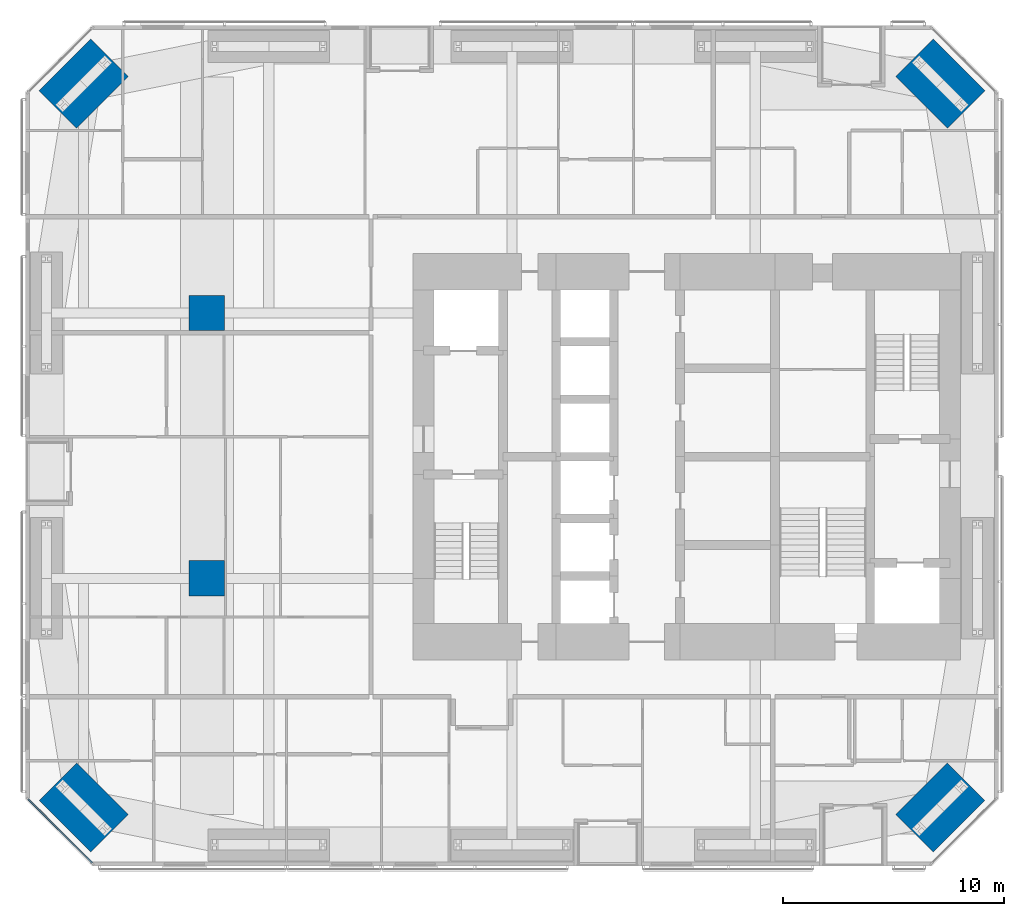
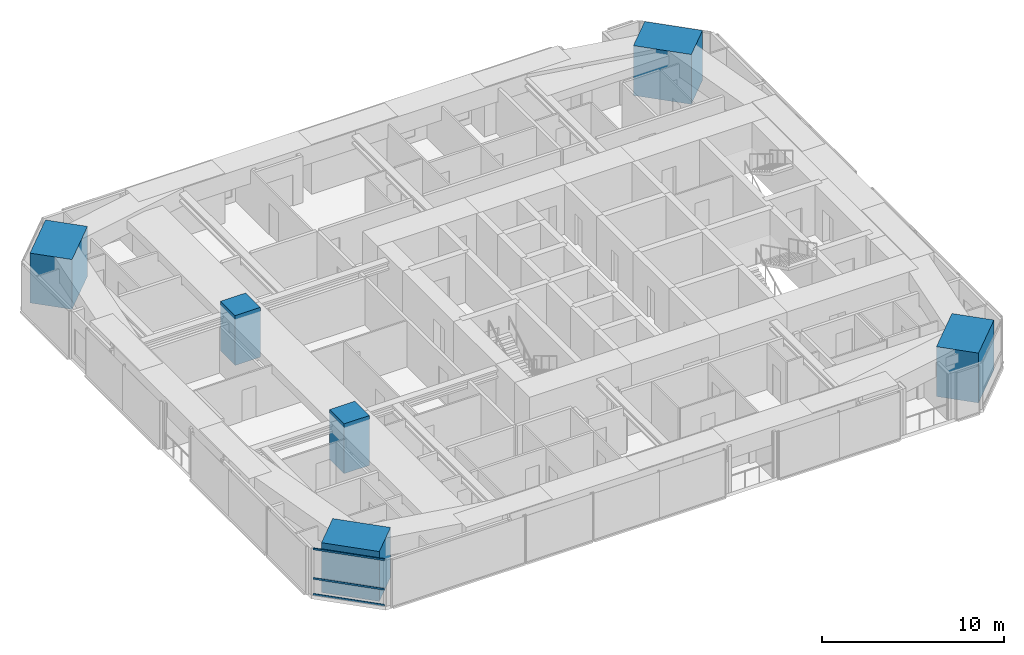
# One storey, part 1 of 24: 6 columns, 3 members, 1 element without a shape of its own.
"""IFC4 building model written with IfcOpenShell, lengths in metres."""

from ifc_helpers import new_model, si_unit, direction, frame, origin, origin_2d, place, context, subcontext, project, spatial, rectangle, extrude, material, material_profile, profile_set, type_object, element, aggregate, save


model = new_model("IFC4")

# Units and contexts
model_context = context("Model", 3, precision=1e-05, world=origin(), true_north=direction((0.0, 1.0)))
body_context = subcontext(model_context, "Body", "Model", "MODEL_VIEW")
ifc_project = project(units=[si_unit("LENGTHUNIT", "METRE"), si_unit("AREAUNIT", "SQUARE_METRE"), si_unit("VOLUMEUNIT", "CUBIC_METRE"), si_unit("PLANEANGLEUNIT", "RADIAN"), si_unit("MASSUNIT", "GRAM", prefix="KILO")], contexts=[model_context])

# Site, building, storey
site_placement = place(None, origin())
site = spatial("IfcSite", under=ifc_project, at=site_placement, CompositionType="ELEMENT")
building_placement = place(site_placement, origin())
building = spatial("IfcBuilding", under=site, at=building_placement, Name="Jalousie Tower", CompositionType="ELEMENT")
storey_placement = place(building_placement, frame((0.0, 0.0, 54.5)))
storey = spatial("IfcBuildingStorey", under=building, at=storey_placement, Name="L14", CompositionType="ELEMENT", Elevation=54.5)

# Columns
ifc_material_1 = material(Name="Concrete f'c 120 MPa", Category="concrete")
ifc_material_profile_1 = material_profile(ifc_material_1, rectangle(XDim=1.60009765625, YDim=1.60009765625, at=origin_2d()), Name="RC 1600x1600")
ifc_profile_set_1 = profile_set([ifc_material_profile_1], Name="Concrete f'c 120 MPa")
column_type_1 = type_object("IfcColumnType", Name="RC COLUMN 1600x1600", PredefinedType="COLUMN", material=ifc_profile_set_1)
for number, where, z_axis, x_axis, name in (
    (1, (10.199951171875, 13.0, 0.0), (0.0, 0.0, 1.0), (1.0, 0.0, 0.0), "Interior column IA1 L14"),
    (2, (10.199951171875, 25.0, 0.0), (0.0, 0.0, 1.0), (1.0, 0.0, 0.0), "Interior column IA2 L14"),
):
    element("IfcColumn", number, at=place(storey_placement, frame(where, z_axis=z_axis, x_axis=x_axis)), inside=storey, type_object=column_type_1, Name=name, PredefinedType="COLUMN", context=body_context, shape_type="SweptSolid", body=[
        extrude(rectangle(XDim=1.60009765625, YDim=1.60009765625, at=origin_2d()), origin(), (0.0, 0.0, 1.0), 3.35009765625),
    ])
ifc_material_2 = material(Name="Concrete f'c 120 MPa", Category="concrete")
ifc_material_profile_2 = material_profile(ifc_material_2, rectangle(XDim=2.39990234375, YDim=3.300048828125, at=origin_2d()), Name="RC 2400x3300")
ifc_profile_set_2 = profile_set([ifc_material_profile_2], Name="Concrete f'c 120 MPa")
column_type_2 = type_object("IfcColumnType", Name="RC CORNER COLUMN 2400x3300", PredefinedType="COLUMN", material=ifc_profile_set_2)
for number, where, z_axis, x_axis, name in (
    (3, (4.63134765625, 2.63134765625, 0.0), (0.0, 0.0, 1.0), (0.707106781187, 0.707106781187, 0.0), "Corner column 01 L14"),
    (4, (43.36865234375, 2.63134765625, 0.0), (0.0, 0.0, 1.0), (-0.707106781187, 0.707106781187, 0.0), "Corner column 05 L14"),
    (5, (43.36865234375, 35.36865234375, 0.0), (0.0, 0.0, 1.0), (-0.707106781187, -0.707106781187, 0.0), "Corner column 08 L14"),
    (6, (4.63134765625, 35.36865234375, 0.0), (0.0, 0.0, 1.0), (0.707106781187, -0.707106781187, 0.0), "Corner column 12 L14"),
):
    element("IfcColumn", number, at=place(storey_placement, frame(where, z_axis=z_axis, x_axis=x_axis)), inside=storey, type_object=column_type_2, Name=name, PredefinedType="COLUMN", context=body_context, shape_type="SweptSolid", body=[
        extrude(rectangle(XDim=2.39990234375, YDim=3.300048828125, at=origin_2d()), origin(), (0.0, 0.0, 1.0), 3.35009765625),
    ])

# Curtain wall, members
ifc_material_3 = material(Name="Aluminium curtain wall", Category="aluminium")
curtain_wall_type = type_object("IfcCurtainWallType", Name="CORNER WINDOW WALL", PredefinedType="USERDEFINED", material=ifc_material_3)
curtain_wall_placement = place(storey_placement, origin())
curtain_wall = element("IfcCurtainWall", 7, at=curtain_wall_placement, inside=storey, type_object=curtain_wall_type, Name="Corner Window Wall L14 8", ObjectType="CORNER WINDOW WALL", PredefinedType="USERDEFINED")
ifc_material_4 = material(Name="Aluminium transom", Category="aluminium")
ifc_material_profile_3 = material_profile(ifc_material_4, rectangle(XDim=0.06005859375, YDim=0.1201171875, at=origin_2d()), Name="TRANSOM 60x120")
ifc_profile_set_3 = profile_set([ifc_material_profile_3], Name="Aluminium transom")
member_type = type_object("IfcMemberType", Name="CORNER WINDOW WALL TRANSOM", PredefinedType="USERDEFINED", material=ifc_profile_set_3)
member_1_placement = place(storey_placement, frame((2.1298828125, 3.0087890625, 0.030029296875), z_axis=(0.707106781187, -0.707106781187, 0.0), x_axis=(0.707106781187, 0.707106781187, 0.0)))
member_1 = element("IfcMember", 8, at=member_1_placement, type_object=member_type, Name="CW-C transom 1.1", ObjectType="TRANSOM", PredefinedType="USERDEFINED", context=body_context, shape_type="SweptSolid", body=[
    extrude(rectangle(XDim=0.06005859375, YDim=0.1201171875, at=origin_2d()), origin(), (0.0, 0.0, 1.0), 4.0712890625),
])
member_2_placement = place(storey_placement, frame((2.1298828125, 3.0087890625, 1.10009765625), z_axis=(0.707106781187, -0.707106781187, 0.0), x_axis=(0.707106781187, 0.707106781187, 0.0)))
member_2 = element("IfcMember", 9, at=member_2_placement, type_object=member_type, Name="CW-C transom 1.2", ObjectType="TRANSOM", PredefinedType="USERDEFINED", context=body_context, shape_type="SweptSolid", body=[
    extrude(rectangle(XDim=0.06005859375, YDim=0.1201171875, at=origin_2d()), origin(), (0.0, 0.0, 1.0), 4.0712890625),
])
member_3_placement = place(storey_placement, frame((2.1298828125, 3.0087890625, 3.080078125), z_axis=(0.707106781187, -0.707106781187, 0.0), x_axis=(0.707106781187, 0.707106781187, 0.0)))
member_3 = element("IfcMember", 10, at=member_3_placement, type_object=member_type, Name="CW-C transom 1.3", ObjectType="TRANSOM", PredefinedType="USERDEFINED", context=body_context, shape_type="SweptSolid", body=[
    extrude(rectangle(XDim=0.06005859375, YDim=0.1201171875, at=origin_2d()), origin(), (0.0, 0.0, 1.0), 4.0712890625),
])
aggregate(curtain_wall, [member_1, member_2, member_3])

save(model, "model.ifc")
